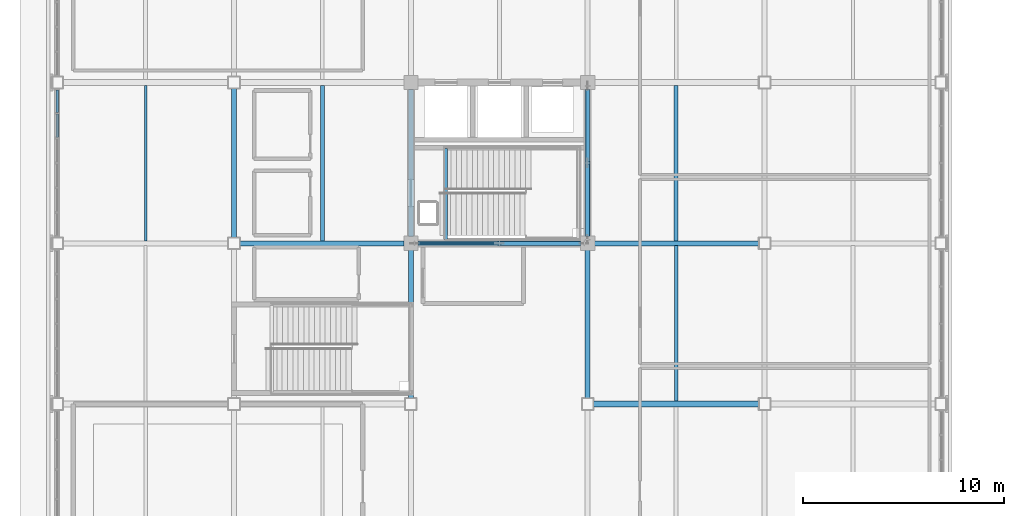
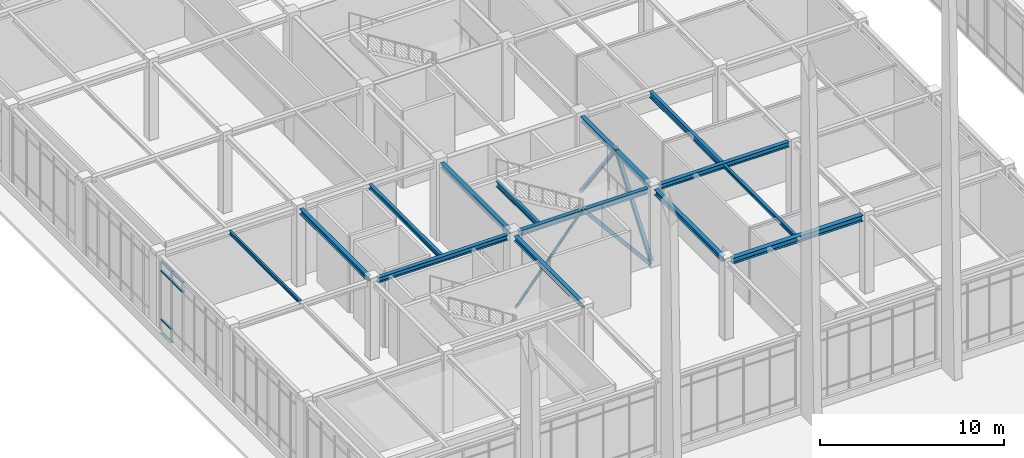
# One storey, part 27 of 108: 14 beams, 10 members, 1 element without a shape of its own.
"""IFC4 building model written with IfcOpenShell, lengths in metres."""

from ifc_helpers import new_model, si_unit, direction, frame, origin, origin_2d, place, context, subcontext, project, spatial, rectangle, hollow_rectangle, hollow_circle, i_section, extrude, material, material_profile, profile_set, type_object, element, aggregate, save


model = new_model("IFC4")

# Units and contexts
model_context = context("Model", 3, precision=1e-05, world=origin(), true_north=direction((0.0, 1.0)))
body_context = subcontext(model_context, "Body", "Model", "MODEL_VIEW")
ifc_project = project(units=[si_unit("LENGTHUNIT", "METRE"), si_unit("AREAUNIT", "SQUARE_METRE"), si_unit("VOLUMEUNIT", "CUBIC_METRE"), si_unit("PLANEANGLEUNIT", "RADIAN"), si_unit("MASSUNIT", "GRAM", prefix="KILO")], contexts=[model_context])

# Site, building, storey
site_placement = place(None, origin())
site = spatial("IfcSite", under=ifc_project, at=site_placement, CompositionType="ELEMENT")
building_placement = place(site_placement, origin())
building = spatial("IfcBuilding", under=site, at=building_placement, Name="Zhaolan Boulevard Law Courts", CompositionType="ELEMENT")
storey_placement = place(building_placement, frame((0.0, 0.0, 10.800048828125)))
storey = spatial("IfcBuildingStorey", under=building, at=storey_placement, Name="L02", CompositionType="ELEMENT", Elevation=10.800048828125)

# Members
ifc_material_1 = material(Name="Structural steel Q355B", Category="steel")
ifc_material_profile_1 = material_profile(ifc_material_1, hollow_rectangle(XDim=0.199951171875, YDim=0.199951171875, WallThickness=0.010009765625, InnerFilletRadius=0.010009765625, OuterFilletRadius=0.02001953125, at=origin_2d()), Name="HSS200x200x10")
ifc_profile_set_1 = profile_set([ifc_material_profile_1], Name="Structural steel Q355B")
member_type_1 = type_object("IfcMemberType", Name="BRACE HSS200", PredefinedType="BRACE", material=ifc_profile_set_1)
member_1_placement = place(storey_placement, frame((26.39990234375, 53.820068359375, 0.030029296875), z_axis=(0.0, -0.60027004321, 0.79979739636), x_axis=(1.0, 0.0, 0.0)))
element("IfcMember", 1, at=member_1_placement, inside=storey, type_object=member_type_1, Name="Core Brace BR-W1-L02-E2", PredefinedType="BRACE", context=body_context, shape_type="SweptSolid", body=[
    extrude(hollow_rectangle(XDim=0.199951171875, YDim=0.199951171875, WallThickness=0.010009765625, InnerFilletRadius=0.010009765625, OuterFilletRadius=0.02001953125, at=origin_2d()), origin(), (0.0, 0.0, 1.0), 6.364013671875),
])
ifc_material_2 = material(Name="Structural steel Q355B", Category="steel")
ifc_material_profile_2 = material_profile(ifc_material_2, hollow_rectangle(XDim=0.219970703125, YDim=0.219970703125, WallThickness=0.010009765625, InnerFilletRadius=0.010009765625, OuterFilletRadius=0.02001953125, at=origin_2d()), Name="HSS220x220x10")
ifc_profile_set_2 = profile_set([ifc_material_profile_2], Name="Structural steel Q355B")
member_type_2 = type_object("IfcMemberType", Name="BRACE HSS220", PredefinedType="BRACE", material=ifc_profile_set_2)
member_2_placement = place(storey_placement, frame((26.219970703125, 46.0, 0.030029296875), z_axis=(-0.638257420724, 0.0, 0.769823008808), x_axis=(0.0, -1.0, 0.0)))
element("IfcMember", 2, at=member_2_placement, inside=storey, type_object=member_type_2, Name="Core Brace BR-W1-L02-S2", PredefinedType="BRACE", context=body_context, shape_type="SweptSolid", body=[
    extrude(hollow_rectangle(XDim=0.219970703125, YDim=0.219970703125, WallThickness=0.010009765625, InnerFilletRadius=0.010009765625, OuterFilletRadius=0.02001953125, at=origin_2d()), origin(), (0.0, 0.0, 1.0), 6.61181640625),
])
member_3_placement = place(storey_placement, frame((26.39990234375, 46.179931640625, 0.030029296875), z_axis=(0.0, 0.60027004321, 0.79979739636), x_axis=(-1.0, 0.0, 0.0)))
element("IfcMember", 3, at=member_3_placement, inside=storey, type_object=member_type_2, Name="Core Brace BR-W1-L02-E1", PredefinedType="BRACE", context=body_context, shape_type="SweptSolid", body=[
    extrude(hollow_rectangle(XDim=0.219970703125, YDim=0.219970703125, WallThickness=0.010009765625, InnerFilletRadius=0.010009765625, OuterFilletRadius=0.02001953125, at=origin_2d()), origin(), (0.0, 0.0, 1.0), 6.364013671875),
])

# Curtain wall, members
ifc_material_3 = material(Name="Thermally broken aluminium and low-E glazing", Category="aluminium")
curtain_wall_type = type_object("IfcCurtainWallType", Name="CURTAIN WALL M14", PredefinedType="USERDEFINED", material=ifc_material_3)
curtain_wall_placement = place(storey_placement, origin())
curtain_wall = element("IfcCurtainWall", 4, at=curtain_wall_placement, inside=storey, type_object=curtain_wall_type, Name="Curtain Wall CW-L02-158", ObjectType="CURTAIN WALL", PredefinedType="USERDEFINED")
ifc_material_4 = material(Name="Fluorocarbon-coated aluminium 6063-T6", Category="aluminium")
ifc_material_profile_3 = material_profile(ifc_material_4, rectangle(XDim=0.139892578125, YDim=0.06494140625, at=origin_2d()), Name="AL65x140")
ifc_profile_set_3 = profile_set([ifc_material_profile_3], Name="Fluorocarbon-coated aluminium 6063-T6")
member_type_3 = type_object("IfcMemberType", Name="CWTRANSOM 65X140", PredefinedType="USERDEFINED", material=ifc_profile_set_3)
member_4_placement = place(storey_placement, frame((0.0, 53.633056640625, 0.032470703125), z_axis=(0.0, -1.0, 0.0), x_axis=(1.0, 0.0, 0.0)))
member_4 = element("IfcMember", 5, at=member_4_placement, type_object=member_type_3, Name="CW-L02-158 transom 1.1", ObjectType="TRANSOM", PredefinedType="USERDEFINED", context=body_context, shape_type="SweptSolid", body=[
    extrude(rectangle(XDim=0.139892578125, YDim=0.06494140625, at=origin_2d()), origin(), (0.0, 0.0, 1.0), 1.13525390625),
])
member_5_placement = place(storey_placement, frame((0.0, 53.633056640625, 0.89990234375), z_axis=(0.0, -1.0, 0.0), x_axis=(1.0, 0.0, 0.0)))
member_5 = element("IfcMember", 6, at=member_5_placement, type_object=member_type_3, Name="CW-L02-158 transom 1.2", ObjectType="TRANSOM", PredefinedType="USERDEFINED", context=body_context, shape_type="SweptSolid", body=[
    extrude(rectangle(XDim=0.139892578125, YDim=0.06494140625, at=origin_2d()), origin(), (0.0, 0.0, 1.0), 1.13525390625),
])
member_6_placement = place(storey_placement, frame((0.0, 53.633056640625, 4.133056640625), z_axis=(0.0, -1.0, 0.0), x_axis=(1.0, 0.0, 0.0)))
member_6 = element("IfcMember", 7, at=member_6_placement, type_object=member_type_3, Name="CW-L02-158 transom 1.3", ObjectType="TRANSOM", PredefinedType="USERDEFINED", context=body_context, shape_type="SweptSolid", body=[
    extrude(rectangle(XDim=0.139892578125, YDim=0.06494140625, at=origin_2d()), origin(), (0.0, 0.0, 1.0), 1.13525390625),
])
member_7_placement = place(storey_placement, frame((0.0, 53.633056640625, 4.75048828125), z_axis=(0.0, -1.0, 0.0), x_axis=(1.0, 0.0, 0.0)))
member_7 = element("IfcMember", 8, at=member_7_placement, type_object=member_type_3, Name="CW-L02-158 transom 1.4", ObjectType="TRANSOM", PredefinedType="USERDEFINED", context=body_context, shape_type="SweptSolid", body=[
    extrude(rectangle(XDim=0.139892578125, YDim=0.06494140625, at=origin_2d()), origin(), (0.0, 0.0, 1.0), 1.13525390625),
])
member_8_placement = place(storey_placement, frame((0.0, 52.432861328125, 4.133056640625), z_axis=(0.0, -1.0, 0.0), x_axis=(1.0, 0.0, 0.0)))
member_8 = element("IfcMember", 9, at=member_8_placement, type_object=member_type_3, Name="CW-L02-158 transom 2.3", ObjectType="TRANSOM", PredefinedType="USERDEFINED", context=body_context, shape_type="SweptSolid", body=[
    extrude(rectangle(XDim=0.139892578125, YDim=0.06494140625, at=origin_2d()), origin(), (0.0, 0.0, 1.0), 1.167724609375),
])
member_9_placement = place(storey_placement, frame((0.0, 52.432861328125, 4.75048828125), z_axis=(0.0, -1.0, 0.0), x_axis=(1.0, 0.0, 0.0)))
member_9 = element("IfcMember", 10, at=member_9_placement, type_object=member_type_3, Name="CW-L02-158 transom 2.4", ObjectType="TRANSOM", PredefinedType="USERDEFINED", context=body_context, shape_type="SweptSolid", body=[
    extrude(rectangle(XDim=0.139892578125, YDim=0.06494140625, at=origin_2d()), origin(), (0.0, 0.0, 1.0), 1.167724609375),
])
aggregate(curtain_wall, [member_4, member_5, member_6, member_7, member_8, member_9])

# Beams
ifc_material_5 = material(Name="Structural steel Q355B", Category="steel")
ifc_material_profile_4 = material_profile(ifc_material_5, i_section(OverallWidth=0.25, OverallDepth=0.340087890625, WebThickness=0.009033203125, FlangeThickness=0.013916015625, FilletRadius=0.01611328125, at=origin_2d()), Name="HM340x250")
ifc_profile_set_4 = profile_set([ifc_material_profile_4], Name="Structural steel Q355B")
beam_type_1 = type_object("IfcBeamType", Name="GIRDER HM340", PredefinedType="BEAM", material=ifc_profile_set_4)
beam_1_placement = place(storey_placement, frame((8.800048828125, 46.2958984375, 4.968017578125), z_axis=(0.0, 1.0, 0.0), x_axis=(-1.0, 0.0, 0.0)))
element("IfcBeam", 11, at=beam_1_placement, inside=storey, type_object=beam_type_1, Name="Beam BY-L03-2-G-H", PredefinedType="BEAM", context=body_context, shape_type="SweptSolid", body=[
    extrude(i_section(OverallWidth=0.25, OverallDepth=0.340087890625, WebThickness=0.009033203125, FlangeThickness=0.013916015625, FilletRadius=0.01611328125, at=origin_2d()), origin(), (0.0, 0.0, 1.0), 7.408203125),
])
beam_2_placement = place(storey_placement, frame((17.60009765625, 38.2958984375, 4.968017578125), z_axis=(0.0, 1.0, 0.0), x_axis=(-1.0, 0.0, 0.0)))
element("IfcBeam", 12, at=beam_2_placement, inside=storey, type_object=beam_type_1, Name="Beam BY-L03-3-F-G", PredefinedType="BEAM", context=body_context, shape_type="SweptSolid", body=[
    extrude(i_section(OverallWidth=0.25, OverallDepth=0.340087890625, WebThickness=0.009033203125, FlangeThickness=0.013916015625, FilletRadius=0.01611328125, at=origin_2d()), origin(), (0.0, 0.0, 1.0), 7.358154296875),
])
beam_3_placement = place(storey_placement, frame((17.60009765625, 46.345947265625, 4.968017578125), z_axis=(0.0, 1.0, 0.0), x_axis=(-1.0, 0.0, 0.0)))
element("IfcBeam", 13, at=beam_3_placement, inside=storey, type_object=beam_type_1, Name="Beam BY-L03-3-G-H", PredefinedType="BEAM", context=body_context, shape_type="SweptSolid", body=[
    extrude(i_section(OverallWidth=0.25, OverallDepth=0.340087890625, WebThickness=0.009033203125, FlangeThickness=0.013916015625, FilletRadius=0.01611328125, at=origin_2d()), origin(), (0.0, 0.0, 1.0), 7.30810546875),
])
beam_4_placement = place(storey_placement, frame((26.39990234375, 38.2958984375, 4.968017578125), z_axis=(0.0, 1.0, 0.0), x_axis=(-1.0, 0.0, 0.0)))
element("IfcBeam", 14, at=beam_4_placement, inside=storey, type_object=beam_type_1, Name="Beam BY-L03-4-F-G", PredefinedType="BEAM", context=body_context, shape_type="SweptSolid", body=[
    extrude(i_section(OverallWidth=0.25, OverallDepth=0.340087890625, WebThickness=0.009033203125, FlangeThickness=0.013916015625, FilletRadius=0.01611328125, at=origin_2d()), origin(), (0.0, 0.0, 1.0), 7.358154296875),
])
beam_5_placement = place(storey_placement, frame((26.39990234375, 46.345947265625, 4.968017578125), z_axis=(0.0, 1.0, 0.0), x_axis=(-1.0, 0.0, 0.0)))
element("IfcBeam", 15, at=beam_5_placement, inside=storey, type_object=beam_type_1, Name="Beam BY-L03-4-G-H", PredefinedType="BEAM", context=body_context, shape_type="SweptSolid", body=[
    extrude(i_section(OverallWidth=0.25, OverallDepth=0.340087890625, WebThickness=0.009033203125, FlangeThickness=0.013916015625, FilletRadius=0.01611328125, at=origin_2d()), origin(), (0.0, 0.0, 1.0), 7.30810546875),
])
ifc_material_6 = material(Name="Structural steel Q355B", Category="steel")
ifc_material_profile_5 = material_profile(ifc_material_6, i_section(OverallWidth=0.300048828125, OverallDepth=0.389892578125, WebThickness=0.010009765625, FlangeThickness=0.01611328125, FilletRadius=0.01806640625, at=origin_2d()), Name="HM390x300")
ifc_profile_set_5 = profile_set([ifc_material_profile_5], Name="Structural steel Q355B")
beam_type_2 = type_object("IfcBeamType", Name="GIRDER HM390", PredefinedType="BEAM", material=ifc_profile_set_5)
beam_6_placement = place(storey_placement, frame((26.696044921875, 38.0, 4.94287109375), z_axis=(1.0, 0.0, 0.0), x_axis=(0.0, 1.0, 0.0)))
element("IfcBeam", 16, at=beam_6_placement, inside=storey, type_object=beam_type_2, Name="Beam BX-L03-4-5-F", PredefinedType="BEAM", context=body_context, shape_type="SweptSolid", body=[
    extrude(i_section(OverallWidth=0.300048828125, OverallDepth=0.389892578125, WebThickness=0.010009765625, FlangeThickness=0.01611328125, FilletRadius=0.01806640625, at=origin_2d()), origin(), (0.0, 0.0, 1.0), 8.2080078125),
])
ifc_material_7 = material(Name="Structural steel Q355B", Category="steel")
ifc_material_profile_6 = material_profile(ifc_material_7, i_section(OverallWidth=0.175048828125, OverallDepth=0.243896484375, WebThickness=0.007080078125, FlangeThickness=0.010986328125, FilletRadius=0.012939453125, at=origin_2d()), Name="HM244x175")
ifc_profile_set_6 = profile_set([ifc_material_profile_6], Name="Structural steel Q355B")
beam_type_3 = type_object("IfcBeamType", Name="JOIST HM244", PredefinedType="JOIST", material=ifc_profile_set_6)
beam_7_placement = place(storey_placement, frame((30.800048828125, 38.14599609375, 5.015869140625), z_axis=(0.0, 1.0, 0.0), x_axis=(-1.0, 0.0, 0.0)))
element("IfcBeam", 17, at=beam_7_placement, inside=storey, type_object=beam_type_3, Name="Composite Joist J-L03-4F", PredefinedType="JOIST", context=body_context, shape_type="SweptSolid", body=[
    extrude(i_section(OverallWidth=0.175048828125, OverallDepth=0.243896484375, WebThickness=0.007080078125, FlangeThickness=0.010986328125, FilletRadius=0.012939453125, at=origin_2d()), origin(), (0.0, 0.0, 1.0), 7.73291015625),
])
ifc_material_8 = material(Name="Structural steel Q355B", Category="steel")
ifc_material_profile_7 = material_profile(ifc_material_8, i_section(OverallWidth=0.199951171875, OverallDepth=0.2939453125, WebThickness=0.008056640625, FlangeThickness=0.011962890625, FilletRadius=0.01611328125, at=origin_2d()), Name="HM294x200")
ifc_profile_set_7 = profile_set([ifc_material_profile_7], Name="Structural steel Q355B")
beam_type_4 = type_object("IfcBeamType", Name="JOIST HM294", PredefinedType="JOIST", material=ifc_profile_set_7)
beam_8_placement = place(storey_placement, frame((13.199951171875, 46.12109375, 4.990966796875), z_axis=(0.0, 1.0, 0.0), x_axis=(-1.0, 0.0, 0.0)))
element("IfcBeam", 18, at=beam_8_placement, inside=storey, type_object=beam_type_4, Name="Composite Joist J-L03-2G", PredefinedType="JOIST", context=body_context, shape_type="SweptSolid", body=[
    extrude(i_section(OverallWidth=0.199951171875, OverallDepth=0.2939453125, WebThickness=0.008056640625, FlangeThickness=0.011962890625, FilletRadius=0.01611328125, at=origin_2d()), origin(), (0.0, 0.0, 1.0), 7.73291015625),
])
ifc_material_9 = material(Name="Structural steel Q355B", Category="steel")
ifc_material_profile_8 = material_profile(ifc_material_9, i_section(OverallWidth=0.125, OverallDepth=0.25, WebThickness=0.006103515625, FlangeThickness=0.009033203125, FilletRadius=0.010009765625, at=origin_2d()), Name="HN250x125")
ifc_profile_set_8 = profile_set([ifc_material_profile_8], Name="Structural steel Q355B")
beam_type_5 = type_object("IfcBeamType", Name="JOIST HN250", PredefinedType="JOIST", material=ifc_profile_set_8)
beam_9_placement = place(storey_placement, frame((4.39990234375, 46.12109375, 5.012939453125), z_axis=(0.0, 1.0, 0.0), x_axis=(-1.0, 0.0, 0.0)))
element("IfcBeam", 19, at=beam_9_placement, inside=storey, type_object=beam_type_5, Name="Composite Joist J-L03-1G", PredefinedType="JOIST", context=body_context, shape_type="SweptSolid", body=[
    extrude(i_section(OverallWidth=0.125, OverallDepth=0.25, WebThickness=0.006103515625, FlangeThickness=0.009033203125, FilletRadius=0.010009765625, at=origin_2d()), origin(), (0.0, 0.0, 1.0), 7.73291015625),
])
ifc_material_10 = material(Name="Structural steel Q355B", Category="steel")
ifc_material_profile_9 = material_profile(ifc_material_10, i_section(OverallWidth=0.199951171875, OverallDepth=0.39990234375, WebThickness=0.008056640625, FlangeThickness=0.012939453125, FilletRadius=0.013916015625, at=origin_2d()), Name="HN400x200")
ifc_profile_set_9 = profile_set([ifc_material_profile_9], Name="Structural steel Q355B")
beam_type_6 = type_object("IfcBeamType", Name="JOIST HN400", PredefinedType="JOIST", material=ifc_profile_set_9)
beam_10_placement = place(storey_placement, frame((30.800048828125, 46.12109375, 4.93798828125), z_axis=(0.0, 1.0, 0.0), x_axis=(-1.0, 0.0, 0.0)))
element("IfcBeam", 20, at=beam_10_placement, inside=storey, type_object=beam_type_6, Name="Composite Joist J-L03-4G", PredefinedType="JOIST", context=body_context, shape_type="SweptSolid", body=[
    extrude(i_section(OverallWidth=0.199951171875, OverallDepth=0.39990234375, WebThickness=0.008056640625, FlangeThickness=0.012939453125, FilletRadius=0.013916015625, at=origin_2d()), origin(), (0.0, 0.0, 1.0), 7.73291015625),
])
ifc_material_11 = material(Name="Structural steel Q355B", Category="steel")
ifc_material_profile_10 = material_profile(ifc_material_11, i_section(OverallWidth=0.25, OverallDepth=0.340087890625, WebThickness=0.009033203125, FlangeThickness=0.013916015625, FilletRadius=0.01611328125, at=origin_2d()), Name="HM340x250")
ifc_profile_set_10 = profile_set([ifc_material_profile_10], Name="Structural steel Q355B")
beam_type_7 = type_object("IfcBeamType", Name="SPANDREL HM340", PredefinedType="SPANDREL", material=ifc_profile_set_10)
beam_11_placement = place(storey_placement, frame((9.095947265625, 46.0, 4.968017578125), z_axis=(1.0, 0.0, 0.0), x_axis=(0.0, 1.0, 0.0)))
element("IfcBeam", 21, at=beam_11_placement, inside=storey, type_object=beam_type_7, Name="Beam BX-L03-2-3-G", PredefinedType="SPANDREL", context=body_context, shape_type="SweptSolid", body=[
    extrude(i_section(OverallWidth=0.25, OverallDepth=0.340087890625, WebThickness=0.009033203125, FlangeThickness=0.013916015625, FilletRadius=0.01611328125, at=origin_2d()), origin(), (0.0, 0.0, 1.0), 8.157958984375),
])
beam_12_placement = place(storey_placement, frame((17.946044921875, 46.0, 4.968017578125), z_axis=(1.0, 0.0, 0.0), x_axis=(0.0, 1.0, 0.0)))
element("IfcBeam", 22, at=beam_12_placement, inside=storey, type_object=beam_type_7, Name="Beam BX-L03-3-4-G", PredefinedType="SPANDREL", context=body_context, shape_type="SweptSolid", body=[
    extrude(i_section(OverallWidth=0.25, OverallDepth=0.340087890625, WebThickness=0.009033203125, FlangeThickness=0.013916015625, FilletRadius=0.01611328125, at=origin_2d()), origin(), (0.0, 0.0, 1.0), 8.10791015625),
])
beam_13_placement = place(storey_placement, frame((26.74609375, 46.0, 4.968017578125), z_axis=(1.0, 0.0, 0.0), x_axis=(0.0, 1.0, 0.0)))
element("IfcBeam", 23, at=beam_13_placement, inside=storey, type_object=beam_type_7, Name="Beam BX-L03-4-5-G", PredefinedType="SPANDREL", context=body_context, shape_type="SweptSolid", body=[
    extrude(i_section(OverallWidth=0.25, OverallDepth=0.340087890625, WebThickness=0.009033203125, FlangeThickness=0.013916015625, FilletRadius=0.01611328125, at=origin_2d()), origin(), (0.0, 0.0, 1.0), 8.157958984375),
])
ifc_material_12 = material(Name="Structural steel Q355B", Category="steel")
ifc_material_profile_11 = material_profile(ifc_material_12, i_section(OverallWidth=0.175048828125, OverallDepth=0.35009765625, WebThickness=0.007080078125, FlangeThickness=0.010986328125, FilletRadius=0.012939453125, at=origin_2d()), Name="HN350x175")
ifc_profile_set_11 = profile_set([ifc_material_profile_11], Name="Structural steel Q355B")
beam_type_8 = type_object("IfcBeamType", Name="STAIR TRIMMER HN350", PredefinedType="BEAM", material=ifc_profile_set_11)
beam_14_placement = place(storey_placement, frame((19.3349609375, 46.1650390625, 4.93505859375), z_axis=(0.0, 1.0, 0.0), x_axis=(-1.0, 0.0, 0.0)))
element("IfcBeam", 24, at=beam_14_placement, inside=storey, type_object=beam_type_8, Name="Stair Landing Trimmer Beam STB-ST01-L03", PredefinedType="BEAM", context=body_context, shape_type="SweptSolid", body=[
    extrude(i_section(OverallWidth=0.175048828125, OverallDepth=0.35009765625, WebThickness=0.007080078125, FlangeThickness=0.010986328125, FilletRadius=0.012939453125, at=origin_2d()), origin(), (0.0, 0.0, 1.0), 4.544921875),
])

# Member
ifc_material_13 = material(Name="Structural steel Q355B", Category="steel")
ifc_material_profile_12 = material_profile(ifc_material_13, hollow_circle(Radius=0.083984375, WallThickness=0.008056640625, at=origin_2d()), Name="CHS168x8")
ifc_profile_set_12 = profile_set([ifc_material_profile_12], Name="Structural steel Q355B")
member_type_4 = type_object("IfcMemberType", Name="STRUT CHS168", PredefinedType="BRACE", material=ifc_profile_set_12)
member_10_placement = place(storey_placement, frame((17.780029296875, 46.0, 0.030029296875), z_axis=(0.638257420724, 0.0, 0.769823008808), x_axis=(0.0, 1.0, 0.0)))
element("IfcMember", 25, at=member_10_placement, inside=storey, type_object=member_type_4, Name="Core Brace BR-W1-L02-S1", PredefinedType="BRACE", context=body_context, shape_type="SweptSolid", body=[
    extrude(hollow_circle(Radius=0.083984375, WallThickness=0.008056640625, at=origin_2d()), origin(), (0.0, 0.0, 1.0), 6.61181640625),
])

save(model, "model.ifc")
